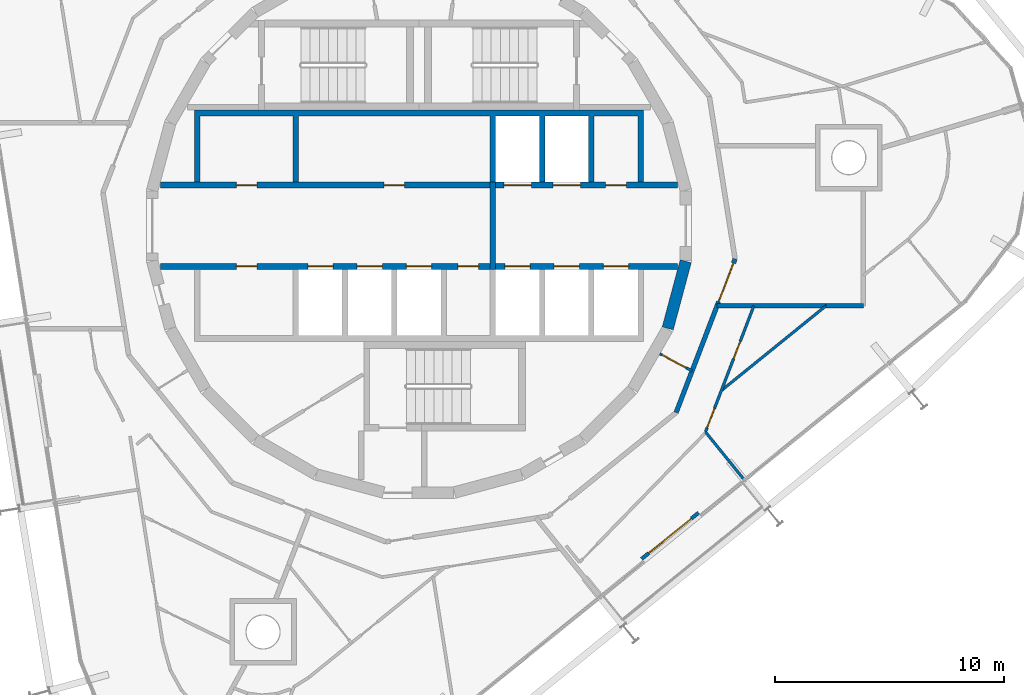
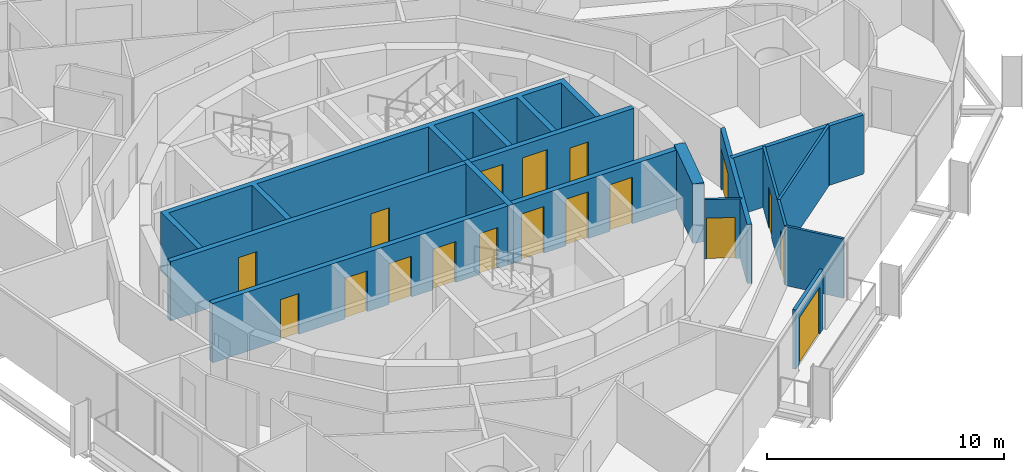
# One storey, part 13 of 17: 18 doors, 15 walls, 18 openings.
"""IFC4 building model written with IfcOpenShell, lengths in metres."""

from ifc_helpers import new_model, si_unit, direction, frame, frame_2d, origin, place, context, subcontext, project, spatial, polyline, rectangle, outline, extrude, material, layer, layer_set, type_object, element, fill, save


model = new_model("IFC4")

# Units and contexts
model_context = context("Model", 3, precision=1e-05, world=origin(), true_north=direction((0.0, 1.0)))
body_context = subcontext(model_context, "Body", "Model", "MODEL_VIEW")
ifc_project = project(units=[si_unit("LENGTHUNIT", "METRE"), si_unit("AREAUNIT", "SQUARE_METRE"), si_unit("VOLUMEUNIT", "CUBIC_METRE"), si_unit("PLANEANGLEUNIT", "RADIAN"), si_unit("MASSUNIT", "GRAM", prefix="KILO")], contexts=[model_context])

# Site, building, storey
site_placement = place(None, origin())
site = spatial("IfcSite", under=ifc_project, at=site_placement, CompositionType="ELEMENT")
building_placement = place(site_placement, origin())
building = spatial("IfcBuilding", under=site, at=building_placement, Name="Spindle Arch Residences", CompositionType="ELEMENT")
storey_placement = place(building_placement, frame((0.0, 0.0, 287.89990234375)))
storey = spatial("IfcBuildingStorey", under=building, at=storey_placement, Name="L74", CompositionType="ELEMENT", Elevation=287.89990234375)

# Wall
ifc_material_1 = material(Name="Concrete C50/60", Category="concrete")
ifc_layer_1 = layer(ifc_material_1, 0.5)
ifc_layer_set_1 = layer_set([ifc_layer_1], Name="Core outline wall 500")
wall_type_1 = type_object("IfcWallType", Name="Core outline wall 500", PredefinedType="SHEAR", material=ifc_layer_set_1)
wall_1_placement = place(storey_placement, frame((10.858154296875, -4.479248046875, 0.0), z_axis=(0.0, 0.0, 1.0), x_axis=(0.258734743916, 0.965948410781, 0.0)))
element("IfcWall", 1, at=wall_1_placement, inside=storey, type_object=wall_type_1, Name="Core outline wall 5", PredefinedType="SHEAR", context=body_context, shape_type="SweptSolid", body=[
    extrude(rectangle(XDim=3.03271484375, YDim=0.5, at=frame_2d((1.516357421875, 0.0))), origin(), (0.0, 0.0, 1.0), 3.050048828125),
])

# Wall, opening, door
ifc_material_2 = material(Name="Plasterboard on steel studs", Category="steel")
ifc_layer_2 = layer(ifc_material_2, 0.1201171875)
ifc_layer_set_2 = layer_set([ifc_layer_2], Name="Corridor division wall 120")
wall_type_2 = type_object("IfcWallType", Name="Corridor division wall 120", PredefinedType="PARTITIONING", material=ifc_layer_set_2)
wall_2_placement = place(storey_placement, frame((10.510986328125, -5.5888671875, 0.0), z_axis=(0.0, 0.0, 1.0), x_axis=(0.882983002821, -0.469404960273, 0.0)))
wall_2 = element("IfcWall", 2, at=wall_2_placement, inside=storey, type_object=wall_type_2, Name="Corridor division wall R7C1-W002", PredefinedType="PARTITIONING", context=body_context, shape_type="SweptSolid", body=[
    extrude(rectangle(XDim=1.59619140625, YDim=0.1201171875, at=frame_2d((0.798095703125, 0.0))), origin(), (0.0, 0.0, 1.0), 3.050048828125),
])
opening_1_placement = place(wall_2_placement, frame((0.10009765625, 0.0, 0.0)))
opening_1 = element("IfcOpeningElement", 3, at=opening_1_placement, cuts=wall_2, Name="Opening R7C1-CD02", PredefinedType="OPENING", context=body_context, shape_type="SweptSolid", body=[
    extrude(rectangle(XDim=1.199951171875, YDim=2.10009765625, at=frame_2d((0.60009765625, 1.050048828125))), frame((0.0, 0.070068359375, 0.0), z_axis=(0.0, -1.0, 0.0), x_axis=(1.0, 0.0, 0.0)), (0.0, 0.0, 1.0), 0.14013671875),
])
ifc_material_3 = material(Name="Steel, fire-resisting door", Category="steel")
door_type_1 = type_object("IfcDoorType", Name="Corridor division door 1200x2100", OperationType="NOTDEFINED", PredefinedType="DOOR", material=ifc_material_3)
door_1_placement = place(opening_1_placement, origin())
door_1 = element("IfcDoor", 4, at=door_1_placement, inside=storey, type_object=door_type_1, Name="Corridor division door R7C1-CD02", OperationType="DOUBLE_DOOR_SINGLE_SWING", OverallHeight=2.10009765625, OverallWidth=1.199951171875, PredefinedType="DOOR", context=body_context, shape_type="SweptSolid", body=[
    extrude(rectangle(XDim=1.199951171875, YDim=2.10009765625, at=frame_2d((0.60009765625, 1.050048828125))), frame((0.0, 0.02490234375, 0.0), z_axis=(0.0, -1.0, 0.0), x_axis=(1.0, 0.0, 0.0)), (0.0, 0.0, 1.0), 0.050048828125),
])
fill(opening_1, door_1)

ifc_material_4 = material(Name="Calcium silicate block, plastered")
ifc_layer_3 = layer(ifc_material_4, 0.199951171875)
ifc_layer_set_3 = layer_set([ifc_layer_3], Name="Fire-lift lobby bay wall 200")
wall_type_3 = type_object("IfcWallType", Name="Fire-lift lobby bay wall 200", PredefinedType="STANDARD", material=ifc_layer_set_3)
wall_3_placement = place(storey_placement, frame((11.223388671875, -8.154296875, 0.0), z_axis=(0.0, 0.0, 1.0), x_axis=(0.358341090983, 0.93359073609, 0.0)))
wall_3 = element("IfcWall", 5, at=wall_3_placement, inside=storey, type_object=wall_type_3, Name="Fire-lift lobby bay wall R7C1-W004", PredefinedType="STANDARD", context=body_context, shape_type="SweptSolid", body=[
    extrude(rectangle(XDim=7.180908203125, YDim=0.199951171875, at=frame_2d((3.59033203125, 0.0))), origin(), (0.0, 0.0, 1.0), 3.050048828125),
])
opening_2_placement = place(wall_3_placement, frame((5.185302734375, 0.0, 0.0)))
opening_2 = element("IfcOpeningElement", 6, at=opening_2_placement, cuts=wall_3, Name="Opening R7C1-FB01", PredefinedType="OPENING", context=body_context, shape_type="SweptSolid", body=[
    extrude(rectangle(XDim=1.800048828125, YDim=2.10009765625, at=frame_2d((0.89990234375, 1.050048828125))), frame((0.0, 0.10986328125, 0.0), z_axis=(0.0, -1.0, 0.0), x_axis=(1.0, 0.0, 0.0)), (0.0, 0.0, 1.0), 0.219970703125),
])
ifc_material_5 = material(Name="Steel, fire-resisting door", Category="steel")
door_type_2 = type_object("IfcDoorType", Name="Fire-lift lobby bay door 1800x2100", OperationType="NOTDEFINED", PredefinedType="DOOR", material=ifc_material_5)
door_2_placement = place(opening_2_placement, origin())
door_2 = element("IfcDoor", 7, at=door_2_placement, inside=storey, type_object=door_type_2, Name="Fire-lift lobby bay door R7C1-FB01", OperationType="DOUBLE_DOOR_SINGLE_SWING", OverallHeight=2.10009765625, OverallWidth=1.800048828125, PredefinedType="DOOR", context=body_context, shape_type="SweptSolid", body=[
    extrude(rectangle(XDim=1.800048828125, YDim=2.10009765625, at=frame_2d((0.89990234375, 1.050048828125))), frame((0.0, 0.02490234375, 0.0), z_axis=(0.0, -1.0, 0.0), x_axis=(1.0, 0.0, 0.0)), (0.0, 0.0, 1.0), 0.050048828125),
])
fill(opening_2, door_2)

# Walls
wall_4_placement = place(storey_placement, frame((13.009765625, -3.5, 0.0), z_axis=(0.0, 0.0, 1.0), x_axis=(1.0, 0.0, 0.0)))
element("IfcWall", 8, at=wall_4_placement, inside=storey, type_object=wall_type_3, Name="Fire-lift lobby bay wall R7C1-W019", PredefinedType="STANDARD", context=body_context, shape_type="SweptSolid", body=[
    extrude(rectangle(XDim=4.75, YDim=0.199951171875, at=frame_2d((2.375, 0.0))), origin(), (0.0, 0.0, 1.0), 3.050048828125),
])
wall_5_placement = place(storey_placement, frame((17.759765625, -3.5, 0.0), z_axis=(0.0, 0.0, 1.0), x_axis=(1.0, 0.0, 0.0)))
element("IfcWall", 9, at=wall_5_placement, inside=storey, type_object=wall_type_3, Name="Fire-lift lobby bay wall R7C1-W021", PredefinedType="STANDARD", context=body_context, shape_type="SweptSolid", body=[
    extrude(rectangle(XDim=1.64013671875, YDim=0.199951171875, at=frame_2d((0.820068359375, 0.0))), origin(), (0.0, 0.0, 1.0), 3.050048828125),
])

# Wall, openings, doors
ifc_material_6 = material(Name="Concrete C40/50", Category="concrete")
ifc_layer_4 = layer(ifc_material_6, 0.25)
ifc_layer_set_4 = layer_set([ifc_layer_4], Name="Fire-lift lobby wall 250")
wall_type_4 = type_object("IfcWallType", Name="Fire-lift lobby wall 250", PredefinedType="SHEAR", material=ifc_layer_set_4)
wall_6_placement = place(storey_placement, frame((3.35009765625, 1.77490234375, 0.0), z_axis=(0.0, 0.0, 1.0), x_axis=(1.0, 0.0, 0.0)))
wall_6 = element("IfcWall", 10, at=wall_6_placement, inside=storey, type_object=wall_type_4, Name="Lift shaft front wall NE", PredefinedType="SHEAR", context=body_context, shape_type="SweptSolid", body=[
    extrude(rectangle(XDim=7.929931640625, YDim=0.25, at=frame_2d((3.96484375, 0.0))), origin(), (0.0, 0.0, 1.0), 3.050048828125),
])
opening_3_placement = place(wall_6_placement, frame((0.35009765625, 0.0, 0.0)))
opening_3 = element("IfcOpeningElement", 11, at=opening_3_placement, cuts=wall_6, Name="Opening R7C1-SLD01", PredefinedType="OPENING", context=body_context, shape_type="SweptSolid", body=[
    extrude(rectangle(XDim=1.199951171875, YDim=2.39990234375, at=frame_2d((0.60009765625, 1.199951171875))), frame((0.0, 0.135009765625, 0.0), z_axis=(0.0, -1.0, 0.0), x_axis=(1.0, 0.0, 0.0)), (0.0, 0.0, 1.0), 0.27001953125),
])
opening_4_placement = place(wall_6_placement, frame((2.5, 0.0, 0.0)))
opening_4 = element("IfcOpeningElement", 12, at=opening_4_placement, cuts=wall_6, Name="Opening R7C1-SLD02", PredefinedType="OPENING", context=body_context, shape_type="SweptSolid", body=[
    extrude(rectangle(XDim=1.199951171875, YDim=2.39990234375, at=frame_2d((0.60009765625, 1.199951171875))), frame((0.0, 0.135009765625, 0.0), z_axis=(0.0, -1.0, 0.0), x_axis=(1.0, 0.0, 0.0)), (0.0, 0.0, 1.0), 0.27001953125),
])
opening_5_placement = place(wall_6_placement, frame((4.800048828125, 0.0, 0.0)))
opening_5 = element("IfcOpeningElement", 13, at=opening_5_placement, cuts=wall_6, Name="Opening R7C1-WD03", PredefinedType="OPENING", context=body_context, shape_type="SweptSolid", body=[
    extrude(rectangle(XDim=0.89990234375, YDim=2.10009765625, at=frame_2d((0.449951171875, 1.050048828125))), frame((0.0, 0.135009765625, 0.0), z_axis=(0.0, -1.0, 0.0), x_axis=(1.0, 0.0, 0.0)), (0.0, 0.0, 1.0), 0.27001953125),
])
ifc_material_7 = material(Name="Steel, fire-resisting landing door", Category="steel")
door_type_3 = type_object("IfcDoorType", Name="Service lift landing door 1200x2400", OperationType="DOUBLE_DOOR_SLIDING", PredefinedType="DOOR", material=ifc_material_7)
door_3_placement = place(opening_3_placement, origin())
door_3 = element("IfcDoor", 14, at=door_3_placement, inside=storey, type_object=door_type_3, Name="Service lift landing door R7C1-SLD01", OperationType="DOUBLE_DOOR_SLIDING", OverallHeight=2.39990234375, OverallWidth=1.199951171875, PredefinedType="DOOR", context=body_context, shape_type="SweptSolid", body=[
    extrude(rectangle(XDim=1.199951171875, YDim=2.39990234375, at=frame_2d((0.60009765625, 1.199951171875))), frame((0.0, 0.02490234375, 0.0), z_axis=(0.0, -1.0, 0.0), x_axis=(1.0, 0.0, 0.0)), (0.0, 0.0, 1.0), 0.050048828125),
])
fill(opening_3, door_3)
door_4_placement = place(opening_4_placement, origin())
door_4 = element("IfcDoor", 15, at=door_4_placement, inside=storey, type_object=door_type_3, Name="Service lift landing door R7C1-SLD02", OperationType="DOUBLE_DOOR_SLIDING", OverallHeight=2.39990234375, OverallWidth=1.199951171875, PredefinedType="DOOR", context=body_context, shape_type="SweptSolid", body=[
    extrude(rectangle(XDim=1.199951171875, YDim=2.39990234375, at=frame_2d((0.60009765625, 1.199951171875))), frame((0.0, 0.02490234375, 0.0), z_axis=(0.0, -1.0, 0.0), x_axis=(1.0, 0.0, 0.0)), (0.0, 0.0, 1.0), 0.050048828125),
])
fill(opening_4, door_4)
ifc_material_8 = material(Name="Steel, fire-resisting door", Category="steel")
door_type_4 = type_object("IfcDoorType", Name="Service room door 900x2100", OperationType="SINGLE_SWING_LEFT", PredefinedType="DOOR", material=ifc_material_8)
door_5_placement = place(opening_5_placement, origin())
door_5 = element("IfcDoor", 16, at=door_5_placement, inside=storey, type_object=door_type_4, Name="Service room door R7C1-WD03", OperationType="SINGLE_SWING_LEFT", OverallHeight=2.10009765625, OverallWidth=0.89990234375, PredefinedType="DOOR", context=body_context, shape_type="SweptSolid", body=[
    extrude(rectangle(XDim=0.89990234375, YDim=2.10009765625, at=frame_2d((0.449951171875, 1.050048828125))), frame((0.0, 0.02490234375, 0.0), z_axis=(0.0, -1.0, 0.0), x_axis=(1.0, 0.0, 0.0)), (0.0, 0.0, 1.0), 0.050048828125),
])
fill(opening_5, door_5)

# Wall
wall_7_placement = place(storey_placement, frame((3.22509765625, -1.89990234375, 0.0), z_axis=(0.0, 0.0, 1.0), x_axis=(0.0, 1.0, 0.0)))
element("IfcWall", 17, at=wall_7_placement, inside=storey, type_object=wall_type_4, Name="Fire-fighting lobby partition", PredefinedType="SHEAR", context=body_context, shape_type="SweptSolid", body=[
    extrude(rectangle(XDim=3.7998046875, YDim=0.25, at=frame_2d((1.89990234375, 0.0))), origin(), (0.0, 0.0, 1.0), 3.050048828125),
])

# Wall, openings, doors
ifc_material_9 = material(Name="Concrete C50/60", Category="concrete")
ifc_layer_5 = layer(ifc_material_9, 0.25)
ifc_layer_set_5 = layer_set([ifc_layer_5], Name="Fire-lift shaft wall 250")
wall_type_5 = type_object("IfcWallType", Name="Fire-lift shaft wall 250", PredefinedType="SHEAR", material=ifc_layer_set_5)
wall_8_placement = place(storey_placement, frame((3.35009765625, -1.77490234375, 0.0), z_axis=(0.0, 0.0, 1.0), x_axis=(1.0, 0.0, 0.0)))
wall_8 = element("IfcWall", 18, at=wall_8_placement, inside=storey, type_object=wall_type_5, Name="Lift shaft front wall SE", PredefinedType="SHEAR", context=body_context, shape_type="SweptSolid", body=[
    extrude(rectangle(XDim=7.929931640625, YDim=0.25, at=frame_2d((3.96484375, 0.0))), origin(), (0.0, 0.0, 1.0), 3.050048828125),
])
opening_6_placement = place(wall_8_placement, frame((0.39990234375, 0.0, 0.0)))
opening_6 = element("IfcOpeningElement", 19, at=opening_6_placement, cuts=wall_8, Name="Opening R7C1-FLD01", PredefinedType="OPENING", context=body_context, shape_type="SweptSolid", body=[
    extrude(rectangle(XDim=1.10009765625, YDim=2.39990234375, at=frame_2d((0.550048828125, 1.199951171875))), frame((0.0, 0.135009765625, 0.0), z_axis=(0.0, -1.0, 0.0), x_axis=(1.0, 0.0, 0.0)), (0.0, 0.0, 1.0), 0.27001953125),
])
opening_7_placement = place(wall_8_placement, frame((2.550048828125, 0.0, 0.0)))
opening_7 = element("IfcOpeningElement", 20, at=opening_7_placement, cuts=wall_8, Name="Opening R7C1-FLD02", PredefinedType="OPENING", context=body_context, shape_type="SweptSolid", body=[
    extrude(rectangle(XDim=1.10009765625, YDim=2.39990234375, at=frame_2d((0.550048828125, 1.199951171875))), frame((0.0, 0.135009765625, 0.0), z_axis=(0.0, -1.0, 0.0), x_axis=(1.0, 0.0, 0.0)), (0.0, 0.0, 1.0), 0.27001953125),
])
opening_8_placement = place(wall_8_placement, frame((4.699951171875, 0.0, 0.0)))
opening_8 = element("IfcOpeningElement", 21, at=opening_8_placement, cuts=wall_8, Name="Opening R7C1-FLD03", PredefinedType="OPENING", context=body_context, shape_type="SweptSolid", body=[
    extrude(rectangle(XDim=1.10009765625, YDim=2.39990234375, at=frame_2d((0.550048828125, 1.199951171875))), frame((0.0, 0.135009765625, 0.0), z_axis=(0.0, -1.0, 0.0), x_axis=(1.0, 0.0, 0.0)), (0.0, 0.0, 1.0), 0.27001953125),
])
ifc_material_10 = material(Name="Steel, fire-resisting landing door", Category="steel")
door_type_5 = type_object("IfcDoorType", Name="Fire-fighting lift landing door 1100x2400", OperationType="DOUBLE_DOOR_SLIDING", PredefinedType="DOOR", material=ifc_material_10)
door_6_placement = place(opening_6_placement, origin())
door_6 = element("IfcDoor", 22, at=door_6_placement, inside=storey, type_object=door_type_5, Name="Fire-fighting lift landing door R7C1-FLD01", OperationType="DOUBLE_DOOR_SLIDING", OverallHeight=2.39990234375, OverallWidth=1.10009765625, PredefinedType="DOOR", context=body_context, shape_type="SweptSolid", body=[
    extrude(rectangle(XDim=1.10009765625, YDim=2.39990234375, at=frame_2d((0.550048828125, 1.199951171875))), frame((0.0, 0.02490234375, 0.0), z_axis=(0.0, -1.0, 0.0), x_axis=(1.0, 0.0, 0.0)), (0.0, 0.0, 1.0), 0.050048828125),
])
fill(opening_6, door_6)
door_7_placement = place(opening_7_placement, origin())
door_7 = element("IfcDoor", 23, at=door_7_placement, inside=storey, type_object=door_type_5, Name="Fire-fighting lift landing door R7C1-FLD02", OperationType="DOUBLE_DOOR_SLIDING", OverallHeight=2.39990234375, OverallWidth=1.10009765625, PredefinedType="DOOR", context=body_context, shape_type="SweptSolid", body=[
    extrude(rectangle(XDim=1.10009765625, YDim=2.39990234375, at=frame_2d((0.550048828125, 1.199951171875))), frame((0.0, 0.02490234375, 0.0), z_axis=(0.0, -1.0, 0.0), x_axis=(1.0, 0.0, 0.0)), (0.0, 0.0, 1.0), 0.050048828125),
])
fill(opening_7, door_7)
door_8_placement = place(opening_8_placement, origin())
door_8 = element("IfcDoor", 24, at=door_8_placement, inside=storey, type_object=door_type_5, Name="Fire-fighting lift landing door R7C1-FLD03", OperationType="DOUBLE_DOOR_SLIDING", OverallHeight=2.39990234375, OverallWidth=1.10009765625, PredefinedType="DOOR", context=body_context, shape_type="SweptSolid", body=[
    extrude(rectangle(XDim=1.10009765625, YDim=2.39990234375, at=frame_2d((0.550048828125, 1.199951171875))), frame((0.0, 0.02490234375, 0.0), z_axis=(0.0, -1.0, 0.0), x_axis=(1.0, 0.0, 0.0)), (0.0, 0.0, 1.0), 0.050048828125),
])
fill(opening_8, door_8)

ifc_material_11 = material(Name="Plasterboard on steel studs", Category="steel")
ifc_layer_6 = layer(ifc_material_11, 0.1201171875)
ifc_layer_set_6 = layer_set([ifc_layer_6], Name="Flat partition 120")
wall_type_6 = type_object("IfcWallType", Name="Flat partition 120", PredefinedType="PARTITIONING", material=ifc_layer_set_6)
wall_9_placement = place(storey_placement, frame((12.5048828125, -9.000732421875, 0.0), z_axis=(0.0, 0.0, 1.0), x_axis=(0.358373707046, 0.933578216379, 0.0)))
wall_9 = element("IfcWall", 25, at=wall_9_placement, inside=storey, type_object=wall_type_6, Name="Flat partition R7C1-W093", PredefinedType="PARTITIONING", context=body_context, shape_type="SweptSolid", body=[
    extrude(rectangle(XDim=5.89208984375, YDim=0.1201171875, at=frame_2d((2.946044921875, 0.0))), origin(), (0.0, 0.0, 1.0), 3.050048828125),
])
opening_9_placement = place(wall_9_placement, frame((0.199951171875, 0.0, 0.0)))
opening_9 = element("IfcOpeningElement", 26, at=opening_9_placement, cuts=wall_9, Name="Opening R7C1-ID22", PredefinedType="OPENING", context=body_context, shape_type="SweptSolid", body=[
    extrude(rectangle(XDim=0.89990234375, YDim=2.10009765625, at=frame_2d((0.449951171875, 1.050048828125))), frame((0.0, 0.070068359375, 0.0), z_axis=(0.0, -1.0, 0.0), x_axis=(1.0, 0.0, 0.0)), (0.0, 0.0, 1.0), 0.14013671875),
])
opening_10_placement = place(wall_9_placement, frame((3.435791015625, 0.0, 0.0)))
opening_10 = element("IfcOpeningElement", 27, at=opening_10_placement, cuts=wall_9, Name="Opening R7C1-BD06", PredefinedType="OPENING", context=body_context, shape_type="SweptSolid", body=[
    extrude(rectangle(XDim=0.800048828125, YDim=2.10009765625, at=frame_2d((0.39990234375, 1.050048828125))), frame((0.0, 0.070068359375, 0.0), z_axis=(0.0, -1.0, 0.0), x_axis=(1.0, 0.0, 0.0)), (0.0, 0.0, 1.0), 0.14013671875),
])
ifc_material_12 = material(Name="Timber door set", Category="wood")
door_type_6 = type_object("IfcDoorType", Name="Bathroom door 800x2100", OperationType="NOTDEFINED", PredefinedType="DOOR", material=ifc_material_12)
door_9_placement = place(opening_10_placement, origin())
door_9 = element("IfcDoor", 28, at=door_9_placement, inside=storey, type_object=door_type_6, Name="Bathroom door R7C1-BD06", OperationType="SINGLE_SWING_RIGHT", OverallHeight=2.10009765625, OverallWidth=0.800048828125, PredefinedType="DOOR", context=body_context, shape_type="SweptSolid", body=[
    extrude(rectangle(XDim=0.800048828125, YDim=2.10009765625, at=frame_2d((0.39990234375, 1.050048828125))), frame((0.0, 0.02490234375, 0.0), z_axis=(0.0, -1.0, 0.0), x_axis=(1.0, 0.0, 0.0)), (0.0, 0.0, 1.0), 0.050048828125),
])
fill(opening_10, door_9)
ifc_material_13 = material(Name="Timber door set", Category="wood")
door_type_7 = type_object("IfcDoorType", Name="Room door 900x2100", OperationType="NOTDEFINED", PredefinedType="DOOR", material=ifc_material_13)
door_10_placement = place(opening_9_placement, origin())
door_10 = element("IfcDoor", 29, at=door_10_placement, inside=storey, type_object=door_type_7, Name="Room door R7C1-ID22", OperationType="SINGLE_SWING_RIGHT", OverallHeight=2.10009765625, OverallWidth=0.89990234375, PredefinedType="DOOR", context=body_context, shape_type="SweptSolid", body=[
    extrude(rectangle(XDim=0.89990234375, YDim=2.10009765625, at=frame_2d((0.449951171875, 1.050048828125))), frame((0.0, 0.02490234375, 0.0), z_axis=(0.0, -1.0, 0.0), x_axis=(1.0, 0.0, 0.0)), (0.0, 0.0, 1.0), 0.050048828125),
])
fill(opening_9, door_10)

# Walls
wall_10_placement = place(storey_placement, frame((14.161376953125, -11.04638671875, 0.0), z_axis=(0.0, 0.0, 1.0), x_axis=(-0.62931028473, 0.777154145284, 0.0)))
element("IfcWall", 30, at=wall_10_placement, inside=storey, type_object=wall_type_6, Name="Flat partition R7C1-W101", PredefinedType="PARTITIONING", context=body_context, shape_type="SweptSolid", body=[
    extrude(rectangle(XDim=2.63232421875, YDim=0.1201171875, at=frame_2d((1.316162109375, 0.0))), origin(), (0.0, 0.0, 1.0), 3.050048828125),
])
wall_11_placement = place(storey_placement, frame((17.759765625, -3.5, 0.0), z_axis=(0.0, 0.0, 1.0), x_axis=(-0.777133455716, -0.62933583404, 0.0)))
element("IfcWall", 31, at=wall_11_placement, inside=storey, type_object=wall_type_6, Name="Flat partition R7C1-W102", PredefinedType="PARTITIONING", context=body_context, shape_type="SweptSolid", body=[
    extrude(rectangle(XDim=5.869140625, YDim=0.1201171875, at=frame_2d((2.9345703125, 0.0))), origin(), (0.0, 0.0, 1.0), 3.050048828125),
])

# Wall, opening, door
ifc_material_14 = material(Name="Non-combustible mineral wool insulated aluminium faced external wall (K0)", Category="aluminium")
ifc_layer_7 = layer(ifc_material_14, 0.159912109375)
ifc_layer_set_7 = layer_set([ifc_layer_7], Name="Insulated external wall panel 160")
wall_type_7 = type_object("IfcWallType", Name="Insulated external wall panel 160", PredefinedType="STANDARD", material=ifc_layer_set_7)
wall_12_placement = place(storey_placement, frame((9.71728515625, -14.542236328125, 0.0), z_axis=(0.0, 0.0, 1.0), x_axis=(0.777125818, 0.629345265333, 0.0)))
wall_12 = element("IfcWall", 32, at=wall_12_placement, inside=storey, type_object=wall_type_7, Name="External wall L74 bay 20", PredefinedType="STANDARD", context=body_context, shape_type="SweptSolid", body=[
    extrude(rectangle(XDim=3.199951171875, YDim=0.159912109375, at=frame_2d((1.60009765625, 0.0))), origin(), (0.0, 0.0, 1.0), 3.050048828125),
])
opening_11_placement = place(wall_12_placement, frame((0.39990234375, 0.0, 0.0)))
opening_11 = element("IfcOpeningElement", 33, at=opening_11_placement, cuts=wall_12, Name="Opening BD20", PredefinedType="OPENING", context=body_context, shape_type="SweptSolid", body=[
    extrude(rectangle(XDim=2.39990234375, YDim=2.39990234375, at=frame_2d((1.199951171875, 1.199951171875))), frame((0.0, 0.08984375, 0.0), z_axis=(0.0, -1.0, 0.0), x_axis=(1.0, 0.0, 0.0)), (0.0, 0.0, 1.0), 0.179931640625),
])
ifc_material_15 = material(Name="Bronze aluminium frame, tinted double glazing", Category="aluminium")
door_type_8 = type_object("IfcDoorType", Name="Sliding glazed balcony door 2400x2400", OperationType="DOUBLE_DOOR_SLIDING", PredefinedType="DOOR", material=ifc_material_15)
door_11_placement = place(opening_11_placement, origin())
door_11 = element("IfcDoor", 34, at=door_11_placement, inside=storey, type_object=door_type_8, Name="Balcony door BD20", OperationType="DOUBLE_DOOR_SLIDING", OverallHeight=2.39990234375, OverallWidth=2.39990234375, PredefinedType="DOOR", context=body_context, shape_type="SweptSolid", body=[
    extrude(rectangle(XDim=2.39990234375, YDim=2.39990234375, at=frame_2d((1.199951171875, 1.199951171875))), frame((0.0, 0.02490234375, 0.0), z_axis=(0.0, -1.0, 0.0), x_axis=(1.0, 0.0, 0.0)), (0.0, 0.0, 1.0), 0.050048828125),
])
fill(opening_11, door_11)

# Wall, openings, doors
ifc_material_16 = material(Name="Concrete C50/60", Category="concrete")
ifc_layer_8 = layer(ifc_material_16, 0.25)
ifc_layer_set_8 = layer_set([ifc_layer_8], Name="Lift shaft wall 250")
wall_type_8 = type_object("IfcWallType", Name="Lift shaft wall 250", PredefinedType="SHEAR", material=ifc_layer_set_8)
wall_13_placement = place(storey_placement, frame((-11.280029296875, 1.77490234375, 0.0), z_axis=(0.0, 0.0, 1.0), x_axis=(1.0, 0.0, 0.0)))
wall_13 = element("IfcWall", 35, at=wall_13_placement, inside=storey, type_object=wall_type_8, Name="Lift shaft front wall NW", PredefinedType="SHEAR", context=body_context, shape_type="SweptSolid", body=[
    extrude(rectangle(XDim=14.380126953125, YDim=0.25, at=frame_2d((7.18994140625, 0.0))), origin(), (0.0, 0.0, 1.0), 3.050048828125),
])
opening_12_placement = place(wall_13_placement, frame((3.304931640625, 0.0, 0.0)))
opening_12 = element("IfcOpeningElement", 36, at=opening_12_placement, cuts=wall_13, Name="Opening R7C1-WD01", PredefinedType="OPENING", context=body_context, shape_type="SweptSolid", body=[
    extrude(rectangle(XDim=0.89990234375, YDim=2.10009765625, at=frame_2d((0.449951171875, 1.050048828125))), frame((0.0, 0.135009765625, 0.0), z_axis=(0.0, -1.0, 0.0), x_axis=(1.0, 0.0, 0.0)), (0.0, 0.0, 1.0), 0.27001953125),
])
opening_13_placement = place(wall_13_placement, frame((9.7548828125, 0.0, 0.0)))
opening_13 = element("IfcOpeningElement", 37, at=opening_13_placement, cuts=wall_13, Name="Opening R7C1-WD02", PredefinedType="OPENING", context=body_context, shape_type="SweptSolid", body=[
    extrude(rectangle(XDim=0.89990234375, YDim=2.10009765625, at=frame_2d((0.449951171875, 1.050048828125))), frame((0.0, 0.135009765625, 0.0), z_axis=(0.0, -1.0, 0.0), x_axis=(1.0, 0.0, 0.0)), (0.0, 0.0, 1.0), 0.27001953125),
])
door_12_placement = place(opening_12_placement, origin())
door_12 = element("IfcDoor", 38, at=door_12_placement, inside=storey, type_object=door_type_4, Name="Service room door R7C1-WD01", OperationType="SINGLE_SWING_LEFT", OverallHeight=2.10009765625, OverallWidth=0.89990234375, PredefinedType="DOOR", context=body_context, shape_type="SweptSolid", body=[
    extrude(rectangle(XDim=0.89990234375, YDim=2.10009765625, at=frame_2d((0.449951171875, 1.050048828125))), frame((0.0, 0.02490234375, 0.0), z_axis=(0.0, -1.0, 0.0), x_axis=(1.0, 0.0, 0.0)), (0.0, 0.0, 1.0), 0.050048828125),
])
fill(opening_12, door_12)
door_13_placement = place(opening_13_placement, origin())
door_13 = element("IfcDoor", 39, at=door_13_placement, inside=storey, type_object=door_type_4, Name="Service room door R7C1-WD02", OperationType="SINGLE_SWING_RIGHT", OverallHeight=2.10009765625, OverallWidth=0.89990234375, PredefinedType="DOOR", context=body_context, shape_type="SweptSolid", body=[
    extrude(rectangle(XDim=0.89990234375, YDim=2.10009765625, at=frame_2d((0.449951171875, 1.050048828125))), frame((0.0, 0.02490234375, 0.0), z_axis=(0.0, -1.0, 0.0), x_axis=(1.0, 0.0, 0.0)), (0.0, 0.0, 1.0), 0.050048828125),
])
fill(opening_13, door_13)

wall_14_placement = place(storey_placement, frame((-11.280029296875, -1.77490234375, 0.0), z_axis=(0.0, 0.0, 1.0), x_axis=(1.0, 0.0, 0.0)))
wall_14 = element("IfcWall", 40, at=wall_14_placement, inside=storey, type_object=wall_type_8, Name="Lift shaft front wall SW", PredefinedType="SHEAR", context=body_context, shape_type="SweptSolid", body=[
    extrude(rectangle(XDim=14.380126953125, YDim=0.25, at=frame_2d((7.18994140625, 0.0))), origin(), (0.0, 0.0, 1.0), 3.050048828125),
])
opening_14_placement = place(wall_14_placement, frame((6.429931640625, 0.0, 0.0)))
opening_14 = element("IfcOpeningElement", 41, at=opening_14_placement, cuts=wall_14, Name="Opening R7C1-LD01", PredefinedType="OPENING", context=body_context, shape_type="SweptSolid", body=[
    extrude(rectangle(XDim=1.10009765625, YDim=2.10009765625, at=frame_2d((0.550048828125, 1.050048828125))), frame((0.0, 0.135009765625, 0.0), z_axis=(0.0, -1.0, 0.0), x_axis=(1.0, 0.0, 0.0)), (0.0, 0.0, 1.0), 0.27001953125),
])
opening_15_placement = place(wall_14_placement, frame((8.580078125, 0.0, 0.0)))
opening_15 = element("IfcOpeningElement", 42, at=opening_15_placement, cuts=wall_14, Name="Opening R7C1-LD02", PredefinedType="OPENING", context=body_context, shape_type="SweptSolid", body=[
    extrude(rectangle(XDim=1.10009765625, YDim=2.10009765625, at=frame_2d((0.550048828125, 1.050048828125))), frame((0.0, 0.135009765625, 0.0), z_axis=(0.0, -1.0, 0.0), x_axis=(1.0, 0.0, 0.0)), (0.0, 0.0, 1.0), 0.27001953125),
])
opening_16_placement = place(wall_14_placement, frame((10.72998046875, 0.0, 0.0)))
opening_16 = element("IfcOpeningElement", 43, at=opening_16_placement, cuts=wall_14, Name="Opening R7C1-LD03", PredefinedType="OPENING", context=body_context, shape_type="SweptSolid", body=[
    extrude(rectangle(XDim=1.10009765625, YDim=2.10009765625, at=frame_2d((0.550048828125, 1.050048828125))), frame((0.0, 0.135009765625, 0.0), z_axis=(0.0, -1.0, 0.0), x_axis=(1.0, 0.0, 0.0)), (0.0, 0.0, 1.0), 0.27001953125),
])
opening_17_placement = place(wall_14_placement, frame((3.304931640625, 0.0, 0.0)))
opening_17 = element("IfcOpeningElement", 44, at=opening_17_placement, cuts=wall_14, Name="Opening R7C1-WD04", PredefinedType="OPENING", context=body_context, shape_type="SweptSolid", body=[
    extrude(rectangle(XDim=0.89990234375, YDim=2.10009765625, at=frame_2d((0.449951171875, 1.050048828125))), frame((0.0, 0.135009765625, 0.0), z_axis=(0.0, -1.0, 0.0), x_axis=(1.0, 0.0, 0.0)), (0.0, 0.0, 1.0), 0.27001953125),
])
opening_18_placement = place(wall_14_placement, frame((12.97998046875, 0.0, 0.0)))
opening_18 = element("IfcOpeningElement", 45, at=opening_18_placement, cuts=wall_14, Name="Opening R7C1-WD05", PredefinedType="OPENING", context=body_context, shape_type="SweptSolid", body=[
    extrude(rectangle(XDim=0.89990234375, YDim=2.10009765625, at=frame_2d((0.449951171875, 1.050048828125))), frame((0.0, 0.135009765625, 0.0), z_axis=(0.0, -1.0, 0.0), x_axis=(1.0, 0.0, 0.0)), (0.0, 0.0, 1.0), 0.27001953125),
])
ifc_material_17 = material(Name="Steel, fire-resisting landing door", Category="steel")
door_type_9 = type_object("IfcDoorType", Name="Lift landing door 1100x2100", OperationType="DOUBLE_DOOR_SLIDING", PredefinedType="DOOR", material=ifc_material_17)
door_14_placement = place(opening_14_placement, origin())
door_14 = element("IfcDoor", 46, at=door_14_placement, inside=storey, type_object=door_type_9, Name="Lift landing door R7C1-LD01", OperationType="DOUBLE_DOOR_SLIDING", OverallHeight=2.10009765625, OverallWidth=1.10009765625, PredefinedType="DOOR", context=body_context, shape_type="SweptSolid", body=[
    extrude(rectangle(XDim=1.10009765625, YDim=2.10009765625, at=frame_2d((0.550048828125, 1.050048828125))), frame((0.0, 0.02490234375, 0.0), z_axis=(0.0, -1.0, 0.0), x_axis=(1.0, 0.0, 0.0)), (0.0, 0.0, 1.0), 0.050048828125),
])
fill(opening_14, door_14)
door_15_placement = place(opening_15_placement, origin())
door_15 = element("IfcDoor", 47, at=door_15_placement, inside=storey, type_object=door_type_9, Name="Lift landing door R7C1-LD02", OperationType="DOUBLE_DOOR_SLIDING", OverallHeight=2.10009765625, OverallWidth=1.10009765625, PredefinedType="DOOR", context=body_context, shape_type="SweptSolid", body=[
    extrude(rectangle(XDim=1.10009765625, YDim=2.10009765625, at=frame_2d((0.550048828125, 1.050048828125))), frame((0.0, 0.02490234375, 0.0), z_axis=(0.0, -1.0, 0.0), x_axis=(1.0, 0.0, 0.0)), (0.0, 0.0, 1.0), 0.050048828125),
])
fill(opening_15, door_15)
door_16_placement = place(opening_16_placement, origin())
door_16 = element("IfcDoor", 48, at=door_16_placement, inside=storey, type_object=door_type_9, Name="Lift landing door R7C1-LD03", OperationType="DOUBLE_DOOR_SLIDING", OverallHeight=2.10009765625, OverallWidth=1.10009765625, PredefinedType="DOOR", context=body_context, shape_type="SweptSolid", body=[
    extrude(rectangle(XDim=1.10009765625, YDim=2.10009765625, at=frame_2d((0.550048828125, 1.050048828125))), frame((0.0, 0.02490234375, 0.0), z_axis=(0.0, -1.0, 0.0), x_axis=(1.0, 0.0, 0.0)), (0.0, 0.0, 1.0), 0.050048828125),
])
fill(opening_16, door_16)
door_17_placement = place(opening_17_placement, origin())
door_17 = element("IfcDoor", 49, at=door_17_placement, inside=storey, type_object=door_type_4, Name="Service room door R7C1-WD04", OperationType="SINGLE_SWING_RIGHT", OverallHeight=2.10009765625, OverallWidth=0.89990234375, PredefinedType="DOOR", context=body_context, shape_type="SweptSolid", body=[
    extrude(rectangle(XDim=0.89990234375, YDim=2.10009765625, at=frame_2d((0.449951171875, 1.050048828125))), frame((0.0, 0.02490234375, 0.0), z_axis=(0.0, -1.0, 0.0), x_axis=(1.0, 0.0, 0.0)), (0.0, 0.0, 1.0), 0.050048828125),
])
fill(opening_17, door_17)
door_18_placement = place(opening_18_placement, origin())
door_18 = element("IfcDoor", 50, at=door_18_placement, inside=storey, type_object=door_type_4, Name="Service room door R7C1-WD05", OperationType="SINGLE_SWING_LEFT", OverallHeight=2.10009765625, OverallWidth=0.89990234375, PredefinedType="DOOR", context=body_context, shape_type="SweptSolid", body=[
    extrude(rectangle(XDim=0.89990234375, YDim=2.10009765625, at=frame_2d((0.449951171875, 1.050048828125))), frame((0.0, 0.02490234375, 0.0), z_axis=(0.0, -1.0, 0.0), x_axis=(1.0, 0.0, 0.0)), (0.0, 0.0, 1.0), 0.050048828125),
])
fill(opening_18, door_18)

# Wall
ifc_material_18 = material(Name="Concrete C50/60", Category="concrete")
wall_type_9 = type_object("IfcWallType", Name="Lift shaft wall profile", PredefinedType="SHEAR", material=ifc_material_18)
wall_15_placement = place(storey_placement, origin())
element("IfcWall", 51, at=wall_15_placement, inside=storey, type_object=wall_type_9, Name="Lift shaft walls N", PredefinedType="SHEAR", context=body_context, shape_type="SweptSolid", body=[
    extrude(outline(polyline([(-9.800048828125, 1.89990234375), (-9.550048828125, 1.89990234375), (-9.550048828125, 4.800048828125), (-5.5, 4.800048828125), (-5.5, 1.89990234375), (-5.25, 1.89990234375), (-5.25, 4.800048828125), (3.10009765625, 4.800048828125), (3.10009765625, 1.89990234375), (3.35009765625, 1.89990234375), (3.35009765625, 4.800048828125), (5.25, 4.800048828125), (5.25, 1.89990234375), (5.5, 1.89990234375), (5.5, 4.800048828125), (7.39990234375, 4.800048828125), (7.39990234375, 1.89990234375), (7.64990234375, 1.89990234375), (7.64990234375, 4.800048828125), (9.550048828125, 4.800048828125), (9.550048828125, 1.89990234375), (9.800048828125, 1.89990234375), (9.800048828125, 4.800048828125), (9.800048828125, 5.050048828125), (-9.800048828125, 5.050048828125), (-9.800048828125, 4.800048828125), (-9.800048828125, 1.89990234375)])), origin(), (0.0, 0.0, 1.0), 3.050048828125),
])

save(model, "model.ifc")
